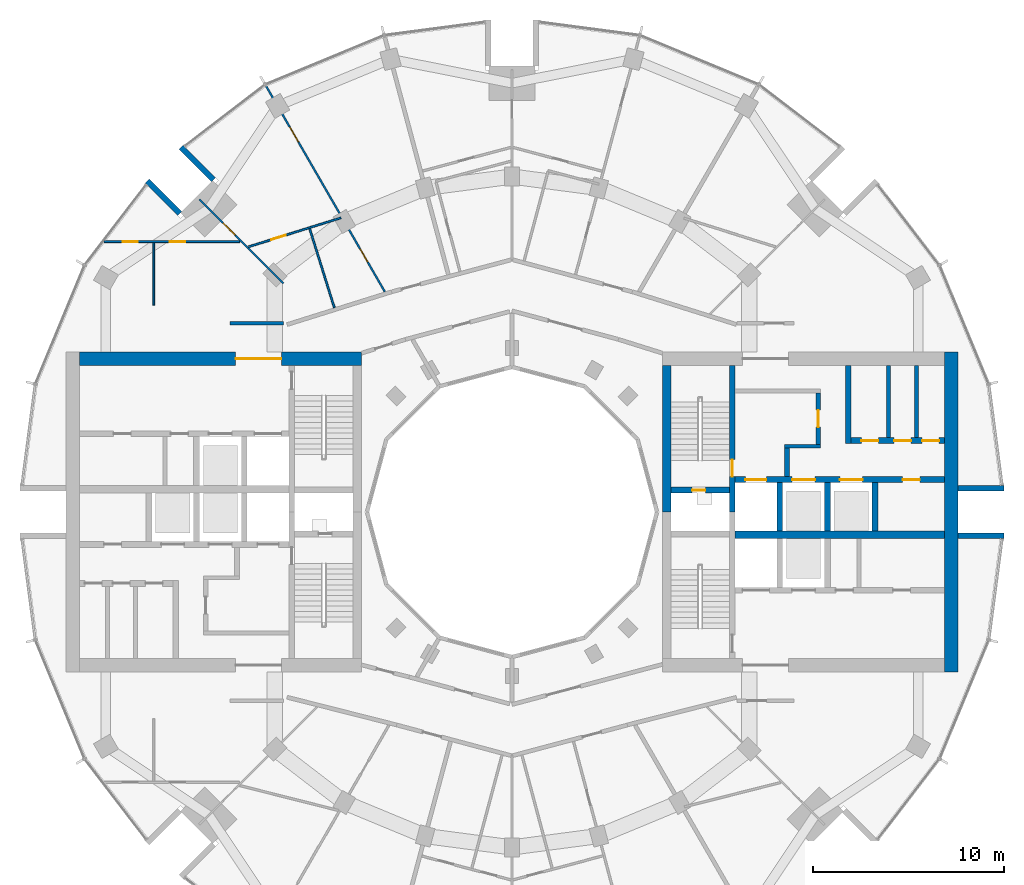
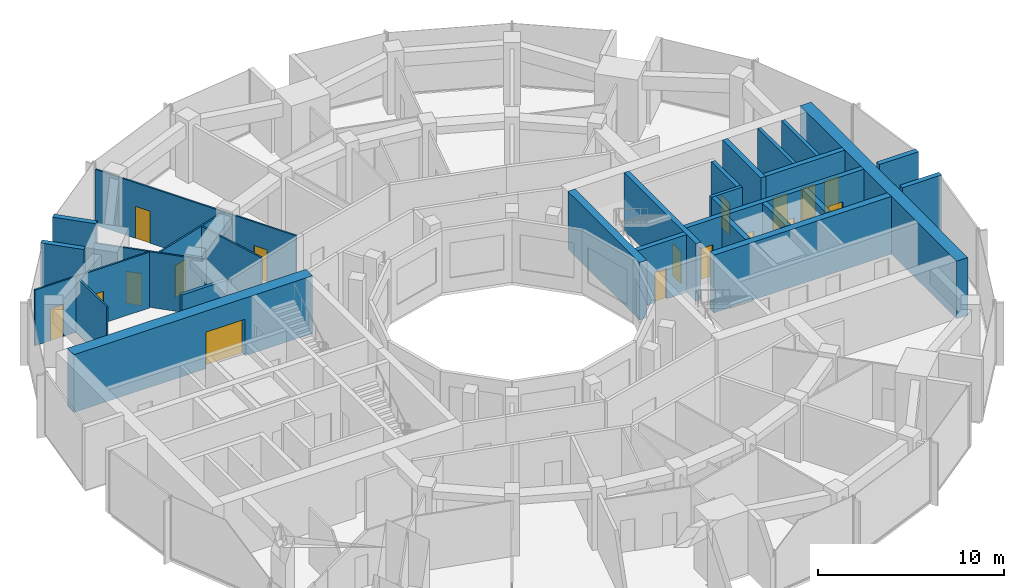
# One storey, part 11 of 15: 28 walls, 17 doors, 17 openings.
"""IFC4 building model written with IfcOpenShell, lengths in metres."""

import ifcopenshell
import ifcopenshell.guid

model = None  # the IFC model being written
_history = None  # IfcOwnerHistory: only IFC2X3 demands one
_inside = {}  # id of a spatial element -> (the spatial element, [elements in it])
_under = {}  # id of a project, library or spatial element -> (it, [spatial elements below it])
_declared = {}  # id of a project -> (the project, [libraries it declares])
_typed = {}  # id of a type object -> (the type object, [elements of that type])
_made_of = {}  # id of a material, layer set ... -> (it, [elements and type objects made of it])


def new_model(schema):
    """Start an empty IFC model of exactly this schema.

    Asked for "IFC4X3", IfcOpenShell would pick the latest addendum, in which some entities
    have other attributes; the version numbers below select the first issue.
    IFC2X3 requires an IfcOwnerHistory on every rooted entity: one is made here for all.
    """
    global model, _history
    if schema == "IFC4X3":
        model = ifcopenshell.file(schema_version=(4, 3, 0, 0))
    else:
        model = ifcopenshell.file(schema=schema)
    _inside.clear()
    _under.clear()
    _declared.clear()
    _typed.clear()
    _made_of.clear()
    _history = None
    if model.schema == "IFC2X3":
        org = make("IfcOrganization", Name="unknown")
        user = make(
            "IfcPersonAndOrganization",
            ThePerson=make("IfcPerson", FamilyName="unknown"),
            TheOrganization=org,
        )
        app = make(
            "IfcApplication",
            ApplicationDeveloper=org,
            Version="unknown",
            ApplicationFullName="unknown",
            ApplicationIdentifier="unknown",
        )
        _history = make(
            "IfcOwnerHistory",
            OwningUser=user,
            OwningApplication=app,
            ChangeAction="ADDED",
            CreationDate=0,
        )
    return model


def make(cls, **values):
    """One entity of the class cls with the attributes given. An attribute that is None is left unset."""
    return model.create_entity(
        cls, **{name: value for name, value in values.items() if value is not None}
    )


def rooted(cls, **values):
    """An entity with a GlobalId (a new one), such as an element, a storey or a relation."""
    return make(cls, GlobalId=ifcopenshell.guid.new(), OwnerHistory=_history, **values)


def si_unit(unit_type, name, prefix=None):
    """IfcSIUnit, for example si_unit("LENGTHUNIT", "METRE", prefix="MILLI")."""
    return make("IfcSIUnit", UnitType=unit_type, Prefix=prefix, Name=name)


def assignment(units):
    """IfcUnitAssignment: the units of a project."""
    return None if units is None else make("IfcUnitAssignment", Units=units)


def point(xyz):
    """IfcCartesianPoint."""
    return None if xyz is None else make("IfcCartesianPoint", Coordinates=xyz)


def direction(xyz):
    """IfcDirection."""
    return None if xyz is None else make("IfcDirection", DirectionRatios=xyz)


def frame(location, z_axis=None, x_axis=None):
    """IfcAxis2Placement3D, a coordinate frame: its origin and axes. An axis left out is left unset."""
    return make(
        "IfcAxis2Placement3D",
        Location=point(location),
        Axis=direction(z_axis),
        RefDirection=direction(x_axis),
    )


def frame_2d(location, x_axis=None):
    """IfcAxis2Placement2D, a coordinate frame in the plane: its origin and x axis."""
    return make(
        "IfcAxis2Placement2D", Location=point(location), RefDirection=direction(x_axis)
    )


def origin():
    """The frame at (0, 0, 0) with its axes left unset."""
    return frame((0.0, 0.0, 0.0))


def place(relative_to, where):
    """IfcLocalPlacement: puts the frame where relative to a parent placement (None: the world)."""
    return make(
        "IfcLocalPlacement", PlacementRelTo=relative_to, RelativePlacement=where
    )


def context(
    kind, dimensions, precision=None, world=None, true_north=None, identifier=None
):
    """IfcGeometricRepresentationContext, for example the 3D "Model" context."""
    return make(
        "IfcGeometricRepresentationContext",
        ContextIdentifier=identifier,
        ContextType=kind,
        CoordinateSpaceDimension=dimensions,
        Precision=precision,
        WorldCoordinateSystem=world,
        TrueNorth=true_north,
    )


def subcontext(parent, identifier, kind, view, scale=None):
    """IfcGeometricRepresentationSubContext, for example "Body" below "Model"."""
    return make(
        "IfcGeometricRepresentationSubContext",
        ContextIdentifier=identifier,
        ContextType=kind,
        ParentContext=parent,
        TargetScale=scale,
        TargetView=view,
    )


def project(units=None, contexts=None):
    """IfcProject with its units and contexts."""
    return rooted(
        "IfcProject",
        Name="project",
        RepresentationContexts=contexts,
        UnitsInContext=assignment(units),
    )


def spatial(cls, under=None, at=None, **own):
    """A site, building, storey or space (cls), placed at a placement, below another one or the project."""
    s = rooted(cls, ObjectPlacement=at, **own)
    if under is not None:
        _under.setdefault(under.id(), (under, []))[1].append(s)
    return s


def profile(cls, at=None, kind="AREA", **sizes):
    """A parametric profile (cls). Its sizes go by their IFC names, for example OverallWidth=200.0."""
    return make(cls, ProfileType=kind, Position=at, **sizes)


def rectangle(**sizes):
    """IfcRectangleProfileDef."""
    return profile("IfcRectangleProfileDef", **sizes)


def extrude(swept, where, along, depth):
    """IfcExtrudedAreaSolid: the profile swept, set in the frame where, extruded along a direction by depth."""
    return make(
        "IfcExtrudedAreaSolid",
        SweptArea=swept,
        Position=where,
        ExtrudedDirection=direction(along),
        Depth=depth,
    )


def shape(context_of_items, identifier, shape_type, items):
    """IfcShapeRepresentation: the items that make up one representation, for example the "Body"."""
    return make(
        "IfcShapeRepresentation",
        ContextOfItems=context_of_items,
        RepresentationIdentifier=identifier,
        RepresentationType=shape_type,
        Items=items,
    )


def material(Name=None, Category=None):
    """IfcMaterial."""
    return make("IfcMaterial", Name=Name, Category=Category)


def layer(
    of_material, thickness, ventilated=None, Name=None, Category=None, Priority=None
):
    """IfcMaterialLayer: one layer of a wall or slab, of a material (None: an air gap)."""
    return make(
        "IfcMaterialLayer",
        Material=of_material,
        LayerThickness=thickness,
        IsVentilated=ventilated,
        Name=Name,
        Category=Category,
        Priority=Priority,
    )


def layer_set(layers, Name=None):
    """IfcMaterialLayerSet."""
    return make("IfcMaterialLayerSet", MaterialLayers=layers, LayerSetName=Name)


def made_of(thing, what):
    """Note that an element or type object is made of a material, layer set ...; save() writes the relation."""
    if what is not None:
        _made_of.setdefault(what.id(), (what, []))[1].append(thing)
    return thing


def type_object(cls, material=None, **own):
    """A type object (cls), such as IfcWallType, which elements share."""
    return made_of(rooted(cls, **own), material)


def element(
    cls,
    number,
    at=None,
    inside=None,
    cuts=None,
    type_object=None,
    material=None,
    context=None,
    identifier="Body",
    shape_type=None,
    held_by="IfcProductDefinitionShape",
    body=None,
    shapes=None,
    **own,
):
    """One element of the class cls, such as IfcWall. Its Tag is "e" and its number.

    at: its placement. inside: the storey or other place that contains it. cuts: it is an
    opening in that element (IfcRelVoidsElement). A single representation is given by context,
    identifier, shape_type and body (its items); several are given by shapes. held_by: the class
    of the entity that holds the representations. save() writes the other relations.
    """
    e = rooted(cls, Tag="e%d" % number, ObjectPlacement=at, **own)
    if body is not None:
        shapes = [shape(context, identifier, shape_type, body)]
    if shapes is not None:
        e.Representation = make(held_by, Representations=shapes)
    if inside is not None:
        _inside.setdefault(inside.id(), (inside, []))[1].append(e)
    if cuts is not None:
        rooted(
            "IfcRelVoidsElement", RelatingBuildingElement=cuts, RelatedOpeningElement=e
        )
    if type_object is not None:
        _typed.setdefault(type_object.id(), (type_object, []))[1].append(e)
    return made_of(e, material)


def fill(opening, filler):
    """IfcRelFillsElement: the door or window that sits in an opening."""
    return rooted(
        "IfcRelFillsElement",
        RelatingOpeningElement=opening,
        RelatedBuildingElement=filler,
    )


def aggregate(whole, parts):
    """IfcRelAggregates: a whole, such as a stair, and the parts it consists of."""
    return rooted("IfcRelAggregates", RelatingObject=whole, RelatedObjects=parts)


def save(model, path):
    """Write the relations noted so far, then the file.

    IfcRelAggregates (storeys below a building ...), IfcRelContainedInSpatialStructure (elements
    in a storey), IfcRelDefinesByType, IfcRelAssociatesMaterial and IfcRelDeclares: one each for
    every whole, place, type object, material and project.
    """
    for whole, parts in _under.values():
        aggregate(whole, parts)
    for where, things in _inside.values():
        rooted(
            "IfcRelContainedInSpatialStructure",
            RelatedElements=things,
            RelatingStructure=where,
        )
    for kind, things in _typed.values():
        rooted("IfcRelDefinesByType", RelatedObjects=things, RelatingType=kind)
    for what, things in _made_of.values():
        rooted("IfcRelAssociatesMaterial", RelatedObjects=things, RelatingMaterial=what)
    for by, libraries in _declared.values():
        rooted("IfcRelDeclares", RelatingContext=by, RelatedDefinitions=libraries)
    model.write(path)


model = new_model("IFC4")

# Units and contexts
model_context = context("Model", 3, precision=1e-05, world=origin(), true_north=direction((0.0, 1.0)))
body_context = subcontext(model_context, "Body", "Model", "MODEL_VIEW")
ifc_project = project(units=[si_unit("LENGTHUNIT", "METRE"), si_unit("AREAUNIT", "SQUARE_METRE"), si_unit("VOLUMEUNIT", "CUBIC_METRE"), si_unit("PLANEANGLEUNIT", "RADIAN"), si_unit("MASSUNIT", "GRAM", prefix="KILO")], contexts=[model_context])

# Site, building, storey
site_placement = place(None, origin())
site = spatial("IfcSite", under=ifc_project, at=site_placement, CompositionType="ELEMENT")
building_placement = place(site_placement, origin())
building = spatial("IfcBuilding", under=site, at=building_placement, Name="Torre Brocal", CompositionType="ELEMENT")
storey_placement = place(building_placement, frame((0.0, 0.0, 194.60009765625)))
storey = spatial("IfcBuildingStorey", under=building, at=storey_placement, Name="L45", CompositionType="ELEMENT", Elevation=194.60009765625)

# Walls
ifc_material_1 = material(Name="Masonry block", Category="masonry")
ifc_layer_1 = layer(ifc_material_1, 0.199951171875)
ifc_layer_set_1 = layer_set([ifc_layer_1], Name="Masonry block")
wall_type_1 = type_object("IfcWallType", Name="CORE PARTITION 200", PredefinedType="PARTITIONING", material=ifc_layer_set_1)
for number, where, z_axis, x_axis, name in (
    (1, (99.760009765625, 78.89990234375, 0.0), (0.0, 0.0, 1.0), (0.0, 1.0, 0.0), "Wall CP200"),
    (2, (101.22998046875, 78.89990234375, 0.0), (0.0, 0.0, 1.0), (0.0, 1.0, 0.0), "Wall CP200"),
):
    element("IfcWall", number, at=place(storey_placement, frame(where, z_axis=z_axis, x_axis=x_axis)), inside=storey, type_object=wall_type_1, Name=name, PredefinedType="PARTITIONING", context=body_context, shape_type="SweptSolid", body=[
        extrude(rectangle(XDim=3.800048828125, YDim=0.199951171875, at=frame_2d((1.89990234375, 0.0))), origin(), (0.0, 0.0, 1.0), 3.77978515625),
    ])
ifc_material_2 = material(Name="Concrete C70", Category="concrete")
ifc_layer_2 = layer(ifc_material_2, 0.199951171875)
ifc_layer_set_2 = layer_set([ifc_layer_2], Name="Concrete C70")
wall_type_2 = type_object("IfcWallType", Name="CORE WALL 200 C70", PredefinedType="SHEAR", material=ifc_layer_set_2)
wall_1_placement = place(storey_placement, frame((94.300048828125, 78.449951171875, 0.0), z_axis=(0.0, 0.0, 1.0), x_axis=(1.0, 0.0, 0.0)))
element("IfcWall", 3, at=wall_1_placement, inside=storey, type_object=wall_type_2, Name="Wall CW200-70", PredefinedType="SHEAR", context=body_context, shape_type="SweptSolid", body=[
    extrude(rectangle(XDim=1.89990234375, YDim=0.199951171875, at=frame_2d((0.949951171875, 0.0))), origin(), (0.0, 0.0, 1.0), 3.77978515625),
])

# Wall, opening, door
ifc_material_3 = material(Name="Concrete C70", Category="concrete")
ifc_layer_3 = layer(ifc_material_3, 0.25)
ifc_layer_set_3 = layer_set([ifc_layer_3], Name="Concrete C70")
wall_type_3 = type_object("IfcWallType", Name="CORE WALL 250 C70", PredefinedType="SHEAR", material=ifc_layer_set_3)
wall_2_placement = place(storey_placement, frame((96.074951171875, 78.550048828125, 0.0), z_axis=(0.0, 0.0, 1.0), x_axis=(0.0, 1.0, 0.0)))
wall_2 = element("IfcWall", 4, at=wall_2_placement, inside=storey, type_object=wall_type_3, Name="Wall CW250-70", PredefinedType="SHEAR", context=body_context, shape_type="SweptSolid", body=[
    extrude(rectangle(XDim=2.699951171875, YDim=0.25, at=frame_2d((1.35009765625, 0.0))), origin(), (0.0, 0.0, 1.0), 3.77978515625),
])
opening_1_placement = place(wall_2_placement, frame((0.89990234375, 0.0, 0.0)))
opening_1 = element("IfcOpeningElement", 5, at=opening_1_placement, cuts=wall_2, Name="Opening E-D26", PredefinedType="OPENING", context=body_context, shape_type="SweptSolid", body=[
    extrude(rectangle(XDim=0.89990234375, YDim=2.10009765625, at=frame_2d((0.449951171875, 1.050048828125))), frame((0.0, 0.135009765625, 0.0), z_axis=(0.0, -1.0, 0.0), x_axis=(1.0, 0.0, 0.0)), (0.0, 0.0, 1.0), 0.27001953125),
])
ifc_material_4 = material(Name="Steel A653", Category="steel")
door_type_1 = type_object("IfcDoorType", Name="LOBBY DOOR FD120 900X2100", OperationType="SINGLE_SWING_RIGHT", PredefinedType="DOOR", material=ifc_material_4)
door_1_placement = place(opening_1_placement, origin())
door_1 = element("IfcDoor", 6, at=door_1_placement, inside=storey, type_object=door_type_1, Name="Door E-D26", OperationType="SINGLE_SWING_LEFT", OverallHeight=2.10009765625, OverallWidth=0.89990234375, PredefinedType="DOOR", context=body_context, shape_type="SweptSolid", body=[
    extrude(rectangle(XDim=0.89990234375, YDim=2.10009765625, at=frame_2d((0.449951171875, 1.050048828125))), frame((0.0, 0.02490234375, 0.0), z_axis=(0.0, -1.0, 0.0), x_axis=(1.0, 0.0, 0.0)), (0.0, 0.0, 1.0), 0.050048828125),
])
fill(opening_1, door_1)

# Wall
wall_3_placement = place(storey_placement, frame((94.425048828125, 76.85009765625, 0.0), z_axis=(0.0, 0.0, 1.0), x_axis=(0.0, 1.0, 0.0)))
element("IfcWall", 7, at=wall_3_placement, inside=storey, type_object=wall_type_3, Name="Wall CW250-70", PredefinedType="SHEAR", context=body_context, shape_type="SweptSolid", body=[
    extrude(rectangle(XDim=1.5, YDim=0.25, at=frame_2d((0.75, 0.0))), origin(), (0.0, 0.0, 1.0), 3.77978515625),
])

# Wall, opening, door
ifc_material_5 = material(Name="Concrete C70", Category="concrete")
ifc_layer_4 = layer(ifc_material_5, 0.300048828125)
ifc_layer_set_4 = layer_set([ifc_layer_4], Name="Concrete C70")
wall_type_4 = type_object("IfcWallType", Name="CORE WALL 300 C70", PredefinedType="SHEAR", material=ifc_layer_set_4)
wall_4_placement = place(storey_placement, frame((91.550048828125, 75.0, 0.0), z_axis=(0.0, 0.0, 1.0), x_axis=(0.0, 1.0, 0.0)))
wall_4 = element("IfcWall", 8, at=wall_4_placement, inside=storey, type_object=wall_type_4, Name="Wall CW300-70", PredefinedType="SHEAR", context=body_context, shape_type="SweptSolid", body=[
    extrude(rectangle(XDim=7.699951171875, YDim=0.300048828125, at=frame_2d((3.85009765625, 0.0))), origin(), (0.0, 0.0, 1.0), 3.77978515625),
])
opening_2_placement = place(wall_4_placement, frame((1.85009765625, 0.0, 0.0)))
opening_2 = element("IfcOpeningElement", 9, at=opening_2_placement, cuts=wall_4, Name="Opening E-D02", PredefinedType="OPENING", context=body_context, shape_type="SweptSolid", body=[
    extrude(rectangle(XDim=0.89990234375, YDim=2.10009765625, at=frame_2d((0.449951171875, 1.050048828125))), frame((0.0, 0.159912109375, 0.0), z_axis=(0.0, -1.0, 0.0), x_axis=(1.0, 0.0, 0.0)), (0.0, 0.0, 1.0), 0.320068359375),
])
ifc_material_6 = material(Name="Steel A653", Category="steel")
door_type_2 = type_object("IfcDoorType", Name="STAIR DOOR FD120 900X2100", OperationType="SINGLE_SWING_RIGHT", PredefinedType="DOOR", material=ifc_material_6)
door_2_placement = place(opening_2_placement, origin())
door_2 = element("IfcDoor", 10, at=door_2_placement, inside=storey, type_object=door_type_2, Name="Door E-D02", OperationType="SINGLE_SWING_LEFT", OverallHeight=2.10009765625, OverallWidth=0.89990234375, PredefinedType="DOOR", context=body_context, shape_type="SweptSolid", body=[
    extrude(rectangle(XDim=0.89990234375, YDim=2.10009765625, at=frame_2d((0.449951171875, 1.050048828125))), frame((0.0, 0.02490234375, 0.0), z_axis=(0.0, -1.0, 0.0), x_axis=(1.0, 0.0, 0.0)), (0.0, 0.0, 1.0), 0.050048828125),
])
fill(opening_2, door_2)

wall_5_placement = place(storey_placement, frame((88.35009765625, 76.14990234375, 0.0), z_axis=(0.0, 0.0, 1.0), x_axis=(1.0, 0.0, 0.0)))
wall_5 = element("IfcWall", 11, at=wall_5_placement, inside=storey, type_object=wall_type_4, Name="Wall CW300-70", PredefinedType="SHEAR", context=body_context, shape_type="SweptSolid", body=[
    extrude(rectangle(XDim=3.0498046875, YDim=0.300048828125, at=frame_2d((1.52490234375, 0.0))), origin(), (0.0, 0.0, 1.0), 3.77978515625),
])
opening_3_placement = place(wall_5_placement, frame((1.10009765625, 0.0, 0.0)))
opening_3 = element("IfcOpeningElement", 12, at=opening_3_placement, cuts=wall_5, Name="Opening E-D01", PredefinedType="OPENING", context=body_context, shape_type="SweptSolid", body=[
    extrude(rectangle(XDim=0.699951171875, YDim=2.0, at=frame_2d((0.35009765625, 1.0))), frame((0.0, 0.159912109375, 0.0), z_axis=(0.0, -1.0, 0.0), x_axis=(1.0, 0.0, 0.0)), (0.0, 0.0, 1.0), 0.320068359375),
])
ifc_material_7 = material(Name="Steel A653", Category="steel")
door_type_3 = type_object("IfcDoorType", Name="RISER DOOR FD120 700X2000", OperationType="SINGLE_SWING_LEFT", PredefinedType="DOOR", material=ifc_material_7)
door_3_placement = place(opening_3_placement, frame((0.699951171875, 0.0, 0.0), z_axis=(0.0, 0.0, 1.0), x_axis=(-1.0, 0.0, 0.0)))
door_3 = element("IfcDoor", 13, at=door_3_placement, inside=storey, type_object=door_type_3, Name="Door E-D01", OperationType="SINGLE_SWING_RIGHT", OverallHeight=2.0, OverallWidth=0.699951171875, PredefinedType="DOOR", context=body_context, shape_type="SweptSolid", body=[
    extrude(rectangle(XDim=0.699951171875, YDim=2.0, at=frame_2d((0.35009765625, 1.0))), frame((0.0, 0.02490234375, 0.0), z_axis=(0.0, -1.0, 0.0), x_axis=(1.0, 0.0, 0.0)), (0.0, 0.0, 1.0), 0.050048828125),
])
fill(opening_3, door_3)

# Wall, openings, doors
wall_6_placement = place(storey_placement, frame((91.699951171875, 76.699951171875, 0.0), z_axis=(0.0, 0.0, 1.0), x_axis=(1.0, 0.0, 0.0)))
wall_6 = element("IfcWall", 14, at=wall_6_placement, inside=storey, type_object=wall_type_4, Name="Wall CW300-70", PredefinedType="SHEAR", context=body_context, shape_type="SweptSolid", body=[
    extrude(rectangle(XDim=11.0, YDim=0.300048828125, at=frame_2d((5.5, 0.0))), origin(), (0.0, 0.0, 1.0), 3.77978515625),
])
opening_4_placement = place(wall_6_placement, frame((0.550048828125, 0.0, 0.0)))
opening_4 = element("IfcOpeningElement", 15, at=opening_4_placement, cuts=wall_6, Name="Opening LD", PredefinedType="OPENING", context=body_context, shape_type="SweptSolid", body=[
    extrude(rectangle(XDim=1.10009765625, YDim=2.10009765625, at=frame_2d((0.550048828125, 1.050048828125))), frame((0.0, 0.159912109375, 0.0), z_axis=(0.0, -1.0, 0.0), x_axis=(1.0, 0.0, 0.0)), (0.0, 0.0, 1.0), 0.320068359375),
])
opening_5_placement = place(wall_6_placement, frame((3.0, 0.0, 0.0)))
opening_5 = element("IfcOpeningElement", 16, at=opening_5_placement, cuts=wall_6, Name="Opening LD12", PredefinedType="OPENING", context=body_context, shape_type="SweptSolid", body=[
    extrude(rectangle(XDim=1.199951171875, YDim=2.10009765625, at=frame_2d((0.60009765625, 1.050048828125))), frame((0.0, 0.159912109375, 0.0), z_axis=(0.0, -1.0, 0.0), x_axis=(1.0, 0.0, 0.0)), (0.0, 0.0, 1.0), 0.320068359375),
])
opening_6_placement = place(wall_6_placement, frame((5.5, 0.0, 0.0)))
opening_6 = element("IfcOpeningElement", 17, at=opening_6_placement, cuts=wall_6, Name="Opening LD12", PredefinedType="OPENING", context=body_context, shape_type="SweptSolid", body=[
    extrude(rectangle(XDim=1.199951171875, YDim=2.10009765625, at=frame_2d((0.60009765625, 1.050048828125))), frame((0.0, 0.159912109375, 0.0), z_axis=(0.0, -1.0, 0.0), x_axis=(1.0, 0.0, 0.0)), (0.0, 0.0, 1.0), 0.320068359375),
])
opening_7_placement = place(wall_6_placement, frame((8.800048828125, 0.0, 0.0)))
opening_7 = element("IfcOpeningElement", 18, at=opening_7_placement, cuts=wall_6, Name="Opening E-D04", PredefinedType="OPENING", context=body_context, shape_type="SweptSolid", body=[
    extrude(rectangle(XDim=0.89990234375, YDim=2.10009765625, at=frame_2d((0.449951171875, 1.050048828125))), frame((0.0, 0.159912109375, 0.0), z_axis=(0.0, -1.0, 0.0), x_axis=(1.0, 0.0, 0.0)), (0.0, 0.0, 1.0), 0.320068359375),
])
ifc_material_8 = material(Name="Stainless steel AISI 316", Category="steel")
door_type_4 = type_object("IfcDoorType", Name="LIFT LANDING DOOR 1100X2100", OperationType="DOUBLE_DOOR_SLIDING", PredefinedType="DOOR", material=ifc_material_8)
door_4_placement = place(opening_4_placement, origin())
door_4 = element("IfcDoor", 19, at=door_4_placement, inside=storey, type_object=door_type_4, Name="Door LD", OperationType="DOUBLE_DOOR_SLIDING", OverallHeight=2.10009765625, OverallWidth=1.10009765625, PredefinedType="DOOR", context=body_context, shape_type="SweptSolid", body=[
    extrude(rectangle(XDim=1.10009765625, YDim=2.10009765625, at=frame_2d((0.550048828125, 1.050048828125))), frame((0.0, 0.02490234375, 0.0), z_axis=(0.0, -1.0, 0.0), x_axis=(1.0, 0.0, 0.0)), (0.0, 0.0, 1.0), 0.050048828125),
])
fill(opening_4, door_4)
ifc_material_9 = material(Name="Stainless steel AISI 316", Category="steel")
door_type_5 = type_object("IfcDoorType", Name="LIFT LANDING DOOR 1200X2100", OperationType="DOUBLE_DOOR_SLIDING", PredefinedType="DOOR", material=ifc_material_9)
door_5_placement = place(opening_5_placement, origin())
door_5 = element("IfcDoor", 20, at=door_5_placement, inside=storey, type_object=door_type_5, Name="Door LD12", OperationType="DOUBLE_DOOR_SLIDING", OverallHeight=2.10009765625, OverallWidth=1.199951171875, PredefinedType="DOOR", context=body_context, shape_type="SweptSolid", body=[
    extrude(rectangle(XDim=1.199951171875, YDim=2.10009765625, at=frame_2d((0.60009765625, 1.050048828125))), frame((0.0, 0.02490234375, 0.0), z_axis=(0.0, -1.0, 0.0), x_axis=(1.0, 0.0, 0.0)), (0.0, 0.0, 1.0), 0.050048828125),
])
fill(opening_5, door_5)
door_6_placement = place(opening_6_placement, origin())
door_6 = element("IfcDoor", 21, at=door_6_placement, inside=storey, type_object=door_type_5, Name="Door LD12", OperationType="DOUBLE_DOOR_SLIDING", OverallHeight=2.10009765625, OverallWidth=1.199951171875, PredefinedType="DOOR", context=body_context, shape_type="SweptSolid", body=[
    extrude(rectangle(XDim=1.199951171875, YDim=2.10009765625, at=frame_2d((0.60009765625, 1.050048828125))), frame((0.0, 0.02490234375, 0.0), z_axis=(0.0, -1.0, 0.0), x_axis=(1.0, 0.0, 0.0)), (0.0, 0.0, 1.0), 0.050048828125),
])
fill(opening_6, door_6)
ifc_material_10 = material(Name="Steel A653", Category="steel")
door_type_6 = type_object("IfcDoorType", Name="ROOM DOOR FD30S 900X2100", OperationType="SINGLE_SWING_LEFT", PredefinedType="DOOR", material=ifc_material_10)
door_7_placement = place(opening_7_placement, frame((0.89990234375, 0.0, 0.0), z_axis=(0.0, 0.0, 1.0), x_axis=(-1.0, 0.0, 0.0)))
door_7 = element("IfcDoor", 22, at=door_7_placement, inside=storey, type_object=door_type_6, Name="Door E-D04", OperationType="SINGLE_SWING_LEFT", OverallHeight=2.10009765625, OverallWidth=0.89990234375, PredefinedType="DOOR", context=body_context, shape_type="SweptSolid", body=[
    extrude(rectangle(XDim=0.89990234375, YDim=2.10009765625, at=frame_2d((0.449951171875, 1.050048828125))), frame((0.0, 0.02490234375, 0.0), z_axis=(0.0, -1.0, 0.0), x_axis=(1.0, 0.0, 0.0)), (0.0, 0.0, 1.0), 0.050048828125),
])
fill(opening_7, door_7)

# Walls
for number, where, z_axis, x_axis, name in (
    (23, (94.050048828125, 74.0, 0.0), (0.0, 0.0, 1.0), (0.0, 1.0, 0.0), "Wall CW300-70"),
    (24, (96.550048828125, 74.0, 0.0), (0.0, 0.0, 1.0), (0.0, 1.0, 0.0), "Wall CW300-70"),
    (25, (99.050048828125, 74.0, 0.0), (0.0, 0.0, 1.0), (0.0, 1.0, 0.0), "Wall CW300-70"),
):
    element("IfcWall", number, at=place(storey_placement, frame(where, z_axis=z_axis, x_axis=x_axis)), inside=storey, type_object=wall_type_4, Name=name, PredefinedType="SHEAR", context=body_context, shape_type="SweptSolid", body=[
        extrude(rectangle(XDim=2.550048828125, YDim=0.300048828125, at=frame_2d((1.27490234375, 0.0))), origin(), (0.0, 0.0, 1.0), 3.77978515625),
    ])
wall_7_placement = place(storey_placement, frame((97.64990234375, 78.60009765625, 0.0), z_axis=(0.0, 0.0, 1.0), x_axis=(0.0, 1.0, 0.0)))
element("IfcWall", 26, at=wall_7_placement, inside=storey, type_object=wall_type_4, Name="Wall CW300-70", PredefinedType="SHEAR", context=body_context, shape_type="SweptSolid", body=[
    extrude(rectangle(XDim=4.099853515625, YDim=0.300048828125, at=frame_2d((2.0498046875, 0.0))), origin(), (0.0, 0.0, 1.0), 3.77978515625),
])

# Wall, openings, doors
wall_8_placement = place(storey_placement, frame((97.800048828125, 78.75, 0.0), z_axis=(0.0, 0.0, 1.0), x_axis=(1.0, 0.0, 0.0)))
wall_8 = element("IfcWall", 27, at=wall_8_placement, inside=storey, type_object=wall_type_4, Name="Wall CW300-70", PredefinedType="SHEAR", context=body_context, shape_type="SweptSolid", body=[
    extrude(rectangle(XDim=4.89990234375, YDim=0.300048828125, at=frame_2d((2.449951171875, 0.0))), origin(), (0.0, 0.0, 1.0), 3.77978515625),
])
opening_8_placement = place(wall_8_placement, frame((0.530029296875, 0.0, 0.0)))
opening_8 = element("IfcOpeningElement", 28, at=opening_8_placement, cuts=wall_8, Name="Opening E-D28", PredefinedType="OPENING", context=body_context, shape_type="SweptSolid", body=[
    extrude(rectangle(XDim=0.89990234375, YDim=2.10009765625, at=frame_2d((0.449951171875, 1.050048828125))), frame((0.0, 0.159912109375, 0.0), z_axis=(0.0, -1.0, 0.0), x_axis=(1.0, 0.0, 0.0)), (0.0, 0.0, 1.0), 0.320068359375),
])
opening_9_placement = place(wall_8_placement, frame((2.2451171875, 0.0, 0.0)))
opening_9 = element("IfcOpeningElement", 29, at=opening_9_placement, cuts=wall_8, Name="Opening E-D09", PredefinedType="OPENING", context=body_context, shape_type="SweptSolid", body=[
    extrude(rectangle(XDim=0.89990234375, YDim=2.10009765625, at=frame_2d((0.449951171875, 1.050048828125))), frame((0.0, 0.159912109375, 0.0), z_axis=(0.0, -1.0, 0.0), x_axis=(1.0, 0.0, 0.0)), (0.0, 0.0, 1.0), 0.320068359375),
])
opening_10_placement = place(wall_8_placement, frame((3.715087890625, 0.0, 0.0)))
opening_10 = element("IfcOpeningElement", 30, at=opening_10_placement, cuts=wall_8, Name="Opening E-D10", PredefinedType="OPENING", context=body_context, shape_type="SweptSolid", body=[
    extrude(rectangle(XDim=0.89990234375, YDim=2.10009765625, at=frame_2d((0.449951171875, 1.050048828125))), frame((0.0, 0.159912109375, 0.0), z_axis=(0.0, -1.0, 0.0), x_axis=(1.0, 0.0, 0.0)), (0.0, 0.0, 1.0), 0.320068359375),
])
door_8_placement = place(opening_8_placement, origin())
door_8 = element("IfcDoor", 31, at=door_8_placement, inside=storey, type_object=door_type_6, Name="Door E-D28", OperationType="SINGLE_SWING_RIGHT", OverallHeight=2.10009765625, OverallWidth=0.89990234375, PredefinedType="DOOR", context=body_context, shape_type="SweptSolid", body=[
    extrude(rectangle(XDim=0.89990234375, YDim=2.10009765625, at=frame_2d((0.449951171875, 1.050048828125))), frame((0.0, 0.02490234375, 0.0), z_axis=(0.0, -1.0, 0.0), x_axis=(1.0, 0.0, 0.0)), (0.0, 0.0, 1.0), 0.050048828125),
])
fill(opening_8, door_8)
door_9_placement = place(opening_9_placement, origin())
door_9 = element("IfcDoor", 32, at=door_9_placement, inside=storey, type_object=door_type_6, Name="Door E-D09", OperationType="SINGLE_SWING_LEFT", OverallHeight=2.10009765625, OverallWidth=0.89990234375, PredefinedType="DOOR", context=body_context, shape_type="SweptSolid", body=[
    extrude(rectangle(XDim=0.89990234375, YDim=2.10009765625, at=frame_2d((0.449951171875, 1.050048828125))), frame((0.0, 0.02490234375, 0.0), z_axis=(0.0, -1.0, 0.0), x_axis=(1.0, 0.0, 0.0)), (0.0, 0.0, 1.0), 0.050048828125),
])
fill(opening_9, door_9)
door_10_placement = place(opening_10_placement, origin())
door_10 = element("IfcDoor", 33, at=door_10_placement, inside=storey, type_object=door_type_6, Name="Door E-D10", OperationType="SINGLE_SWING_LEFT", OverallHeight=2.10009765625, OverallWidth=0.89990234375, PredefinedType="DOOR", context=body_context, shape_type="SweptSolid", body=[
    extrude(rectangle(XDim=0.89990234375, YDim=2.10009765625, at=frame_2d((0.449951171875, 1.050048828125))), frame((0.0, 0.02490234375, 0.0), z_axis=(0.0, -1.0, 0.0), x_axis=(1.0, 0.0, 0.0)), (0.0, 0.0, 1.0), 0.050048828125),
])
fill(opening_10, door_10)

# Walls
ifc_material_11 = material(Name="Concrete C70", Category="concrete")
ifc_layer_5 = layer(ifc_material_11, 0.39990234375)
ifc_layer_set_5 = layer_set([ifc_layer_5], Name="Concrete C70")
wall_type_5 = type_object("IfcWallType", Name="CORE WALL 400 C70", PredefinedType="SHEAR", material=ifc_layer_set_5)
wall_9_placement = place(storey_placement, frame((91.699951171875, 73.800048828125, 0.0), z_axis=(0.0, 0.0, 1.0), x_axis=(1.0, 0.0, 0.0)))
element("IfcWall", 34, at=wall_9_placement, inside=storey, type_object=wall_type_5, Name="Wall CW400-70", PredefinedType="SHEAR", context=body_context, shape_type="SweptSolid", body=[
    extrude(rectangle(XDim=11.0, YDim=0.39990234375, at=frame_2d((5.5, 0.0))), origin(), (0.0, 0.0, 1.0), 3.77978515625),
])
ifc_material_12 = material(Name="Concrete C70", Category="concrete")
ifc_layer_6 = layer(ifc_material_12, 0.449951171875)
ifc_layer_set_6 = layer_set([ifc_layer_6], Name="Concrete C70")
wall_type_6 = type_object("IfcWallType", Name="CORE WALL 450 C70", PredefinedType="SHEAR", material=ifc_layer_set_6)
wall_10_placement = place(storey_placement, frame((88.125, 75.0, 0.0), z_axis=(0.0, 0.0, 1.0), x_axis=(0.0, 1.0, 0.0)))
element("IfcWall", 35, at=wall_10_placement, inside=storey, type_object=wall_type_6, Name="Wall CW450-70", PredefinedType="SHEAR", context=body_context, shape_type="SweptSolid", body=[
    extrude(rectangle(XDim=7.699951171875, YDim=0.449951171875, at=frame_2d((3.85009765625, 0.0))), origin(), (0.0, 0.0, 1.0), 3.77978515625),
])
ifc_material_13 = material(Name="Concrete C70", Category="concrete")
ifc_layer_7 = layer(ifc_material_13, 0.699951171875)
ifc_layer_set_7 = layer_set([ifc_layer_7], Name="Concrete C70")
wall_type_7 = type_object("IfcWallType", Name="CORE WALL 700 C70", PredefinedType="SHEAR", material=ifc_layer_set_7)
wall_11_placement = place(storey_placement, frame((103.050048828125, 66.60009765625, 0.0), z_axis=(0.0, 0.0, 1.0), x_axis=(0.0, 1.0, 0.0)))
element("IfcWall", 36, at=wall_11_placement, inside=storey, type_object=wall_type_7, Name="Wall CW700-70", PredefinedType="SHEAR", context=body_context, shape_type="SweptSolid", body=[
    extrude(rectangle(XDim=16.7998046875, YDim=0.699951171875, at=frame_2d((8.39990234375, 0.0))), origin(), (0.0, 0.0, 1.0), 3.77978515625),
])

# Wall, opening, door
wall_12_placement = place(storey_placement, frame((72.10009765625, 83.050048828125, 0.0), z_axis=(0.0, 0.0, 1.0), x_axis=(-1.0, 0.0, 0.0)))
wall_12 = element("IfcWall", 37, at=wall_12_placement, inside=storey, type_object=wall_type_7, Name="Wall CW700-70", PredefinedType="SHEAR", context=body_context, shape_type="SweptSolid", body=[
    extrude(rectangle(XDim=14.800048828125, YDim=0.699951171875, at=frame_2d((7.39990234375, 0.0))), origin(), (0.0, 0.0, 1.0), 3.77978515625),
])
opening_11_placement = place(wall_12_placement, frame((4.199951171875, 0.0, 0.0)))
opening_11 = element("IfcOpeningElement", 38, at=opening_11_placement, cuts=wall_12, Name="Opening W-D12", PredefinedType="OPENING", context=body_context, shape_type="SweptSolid", body=[
    extrude(rectangle(XDim=2.39990234375, YDim=2.39990234375, at=frame_2d((1.199951171875, 1.199951171875))), frame((0.0, 0.35986328125, 0.0), z_axis=(0.0, -1.0, 0.0), x_axis=(1.0, 0.0, 0.0)), (0.0, 0.0, 1.0), 0.719970703125),
])
ifc_material_14 = material(Name="Steel A653", Category="steel")
door_type_7 = type_object("IfcDoorType", Name="DOUBLE FIRE DOOR FD90 2400X2400", OperationType="DOUBLE_DOOR_SINGLE_SWING", PredefinedType="DOOR", material=ifc_material_14)
door_11_placement = place(opening_11_placement, origin())
door_11 = element("IfcDoor", 39, at=door_11_placement, inside=storey, type_object=door_type_7, Name="Door W-D12", OperationType="DOUBLE_DOOR_SINGLE_SWING", OverallHeight=2.39990234375, OverallWidth=2.39990234375, PredefinedType="DOOR", context=body_context, shape_type="SweptSolid", body=[
    extrude(rectangle(XDim=2.39990234375, YDim=2.39990234375, at=frame_2d((1.199951171875, 1.199951171875))), frame((0.0, 0.02490234375, 0.0), z_axis=(0.0, -1.0, 0.0), x_axis=(1.0, 0.0, 0.0)), (0.0, 0.0, 1.0), 0.050048828125),
])
fill(opening_11, door_11)

# Walls
ifc_material_15 = material(Name="Concrete C70", Category="concrete")
ifc_layer_8 = layer(ifc_material_15, 0.300048828125)
ifc_layer_set_8 = layer_set([ifc_layer_8], Name="Concrete C70")
wall_type_8 = type_object("IfcWallType", Name="NOTCH RETURN WALL 300 C70", PredefinedType="NOTDEFINED", material=ifc_layer_set_8)
for number, where, z_axis, x_axis, name in (
    (40, (103.39990234375, 73.75, 0.0), (0.0, 0.0, 1.0), (1.0, 0.0, 0.0), "NOTCH RETURN WALL"),
    (41, (103.39990234375, 76.25, 0.0), (0.0, 0.0, 1.0), (1.0, 0.0, 0.0), "NOTCH RETURN WALL"),
    (42, (64.337646484375, 92.43017578125, 0.0), (0.0, 0.0, 1.0), (-0.707106781187, 0.707106781187, 0.0), "NOTCH RETURN WALL"),
    (43, (62.56982421875, 90.662353515625, 0.0), (0.0, 0.0, 1.0), (-0.707106781187, 0.707106781187, 0.0), "NOTCH RETURN WALL"),
):
    element("IfcWall", number, at=place(storey_placement, frame(where, z_axis=z_axis, x_axis=x_axis)), inside=storey, type_object=wall_type_8, Name=name, PredefinedType="NOTDEFINED", context=body_context, shape_type="SweptSolid", body=[
        extrude(rectangle(XDim=2.415771484375, YDim=0.300048828125, at=frame_2d((1.2080078125, 0.0))), origin(), (0.0, 0.0, 1.0), 4.099853515625),
    ])

# Wall, openings, doors
ifc_material_16 = material(Name="Gypsum board", Category="Gypsum")
ifc_layer_9 = layer(ifc_material_16, 0.10009765625)
ifc_layer_set_9 = layer_set([ifc_layer_9], Name="Gypsum board")
wall_type_9 = type_object("IfcWallType", Name="PARTITION 100", PredefinedType="PARTITIONING", material=ifc_layer_set_9)
wall_13_placement = place(storey_placement, frame((58.60009765625, 89.18798828125, 0.0), z_axis=(0.0, 0.0, 1.0), x_axis=(1.0, 0.0, 0.0)))
wall_13 = element("IfcWall", 44, at=wall_13_placement, inside=storey, type_object=wall_type_9, Name="BATHROOM WALL", PredefinedType="PARTITIONING", context=body_context, shape_type="SweptSolid", body=[
    extrude(rectangle(XDim=7.10205078125, YDim=0.10009765625, at=frame_2d((3.551025390625, 0.0))), origin(), (0.0, 0.0, 1.0), 3.64990234375),
])
opening_12_placement = place(wall_13_placement, frame((3.446533203125, 0.0, 0.0)))
opening_12 = element("IfcOpeningElement", 45, at=opening_12_placement, cuts=wall_13, Name="Opening R04-D16", PredefinedType="OPENING", context=body_context, shape_type="SweptSolid", body=[
    extrude(rectangle(XDim=0.800048828125, YDim=2.10009765625, at=frame_2d((0.39990234375, 1.050048828125))), frame((0.0, 0.06005859375, 0.0), z_axis=(0.0, -1.0, 0.0), x_axis=(1.0, 0.0, 0.0)), (0.0, 0.0, 1.0), 0.1201171875),
])
opening_13_placement = place(wall_13_placement, frame((0.965087890625, 0.0, 0.0)))
opening_13 = element("IfcOpeningElement", 46, at=opening_13_placement, cuts=wall_13, Name="Opening R04-D17", PredefinedType="OPENING", context=body_context, shape_type="SweptSolid", body=[
    extrude(rectangle(XDim=0.800048828125, YDim=2.10009765625, at=frame_2d((0.39990234375, 1.050048828125))), frame((0.0, 0.06005859375, 0.0), z_axis=(0.0, -1.0, 0.0), x_axis=(1.0, 0.0, 0.0)), (0.0, 0.0, 1.0), 0.1201171875),
])
ifc_material_17 = material(Name="Timber", Category="wood")
door_type_8 = type_object("IfcDoorType", Name="BATHROOM DOOR 800X2100", OperationType="SINGLE_SWING_LEFT", PredefinedType="DOOR", material=ifc_material_17)
door_12_placement = place(opening_12_placement, frame((0.800048828125, 0.0, 0.0), z_axis=(0.0, 0.0, 1.0), x_axis=(-1.0, 0.0, 0.0)))
door_12 = element("IfcDoor", 47, at=door_12_placement, inside=storey, type_object=door_type_8, Name="R04-D16", OperationType="SINGLE_SWING_RIGHT", OverallHeight=2.10009765625, OverallWidth=0.800048828125, PredefinedType="DOOR", context=body_context, shape_type="SweptSolid", body=[
    extrude(rectangle(XDim=0.800048828125, YDim=2.10009765625, at=frame_2d((0.39990234375, 1.050048828125))), frame((0.0, 0.02490234375, 0.0), z_axis=(0.0, -1.0, 0.0), x_axis=(1.0, 0.0, 0.0)), (0.0, 0.0, 1.0), 0.050048828125),
])
fill(opening_12, door_12)
door_13_placement = place(opening_13_placement, origin())
door_13 = element("IfcDoor", 48, at=door_13_placement, inside=storey, type_object=door_type_8, Name="R04-D17", OperationType="SINGLE_SWING_LEFT", OverallHeight=2.10009765625, OverallWidth=0.800048828125, PredefinedType="DOOR", context=body_context, shape_type="SweptSolid", body=[
    extrude(rectangle(XDim=0.800048828125, YDim=2.10009765625, at=frame_2d((0.39990234375, 1.050048828125))), frame((0.0, 0.02490234375, 0.0), z_axis=(0.0, -1.0, 0.0), x_axis=(1.0, 0.0, 0.0)), (0.0, 0.0, 1.0), 0.050048828125),
])
fill(opening_13, door_13)

# Wall
wall_14_placement = place(storey_placement, frame((61.199951171875, 85.85498046875, 0.0), z_axis=(0.0, 0.0, 1.0), x_axis=(0.0, 1.0, 0.0)))
element("IfcWall", 49, at=wall_14_placement, inside=storey, type_object=wall_type_9, Name="BATHROOM WALL", PredefinedType="PARTITIONING", context=body_context, shape_type="SweptSolid", body=[
    extrude(rectangle(XDim=3.282958984375, YDim=0.10009765625, at=frame_2d((1.6416015625, 0.0))), origin(), (0.0, 0.0, 1.0), 3.64990234375),
])

# Wall, opening, door
wall_15_placement = place(storey_placement, frame((63.5986328125, 91.408203125, 0.0), z_axis=(0.0, 0.0, 1.0), x_axis=(0.706949994766, -0.70726353285, 0.0)))
wall_15 = element("IfcWall", 50, at=wall_15_placement, inside=storey, type_object=wall_type_9, Name="BATHROOM WALL", PredefinedType="PARTITIONING", context=body_context, shape_type="SweptSolid", body=[
    extrude(rectangle(XDim=6.229248046875, YDim=0.10009765625, at=frame_2d((3.11474609375, 0.0))), origin(), (0.0, 0.0, 1.0), 3.64990234375),
])
opening_14_placement = place(wall_15_placement, frame((1.752685546875, 0.0, 0.0)))
opening_14 = element("IfcOpeningElement", 51, at=opening_14_placement, cuts=wall_15, Name="Opening R04-D15", PredefinedType="OPENING", context=body_context, shape_type="SweptSolid", body=[
    extrude(rectangle(XDim=0.89990234375, YDim=2.10009765625, at=frame_2d((0.449951171875, 1.050048828125))), frame((0.0, 0.06005859375, 0.0), z_axis=(0.0, -1.0, 0.0), x_axis=(1.0, 0.0, 0.0)), (0.0, 0.0, 1.0), 0.1201171875),
])
ifc_material_18 = material(Name="Timber", Category="wood")
door_type_9 = type_object("IfcDoorType", Name="ROOM DOOR 900X2100", OperationType="SINGLE_SWING_LEFT", PredefinedType="DOOR", material=ifc_material_18)
door_14_placement = place(opening_14_placement, frame((0.89990234375, 0.0, 0.0), z_axis=(0.0, 0.0, 1.0), x_axis=(-1.0, 0.0, 0.0)))
door_14 = element("IfcDoor", 52, at=door_14_placement, inside=storey, type_object=door_type_9, Name="R04-D15", OperationType="SINGLE_SWING_RIGHT", OverallHeight=2.10009765625, OverallWidth=0.89990234375, PredefinedType="DOOR", context=body_context, shape_type="SweptSolid", body=[
    extrude(rectangle(XDim=0.89990234375, YDim=2.10009765625, at=frame_2d((0.449951171875, 1.050048828125))), frame((0.0, 0.02490234375, 0.0), z_axis=(0.0, -1.0, 0.0), x_axis=(1.0, 0.0, 0.0)), (0.0, 0.0, 1.0), 0.050048828125),
])
fill(opening_14, door_14)

wall_16_placement = place(storey_placement, frame((66.18408203125, 88.917236328125, 0.0), z_axis=(0.0, 0.0, 1.0), x_axis=(0.954213083528, 0.299127717246, 0.0)))
wall_16 = element("IfcWall", 53, at=wall_16_placement, inside=storey, type_object=wall_type_9, Name="BATHROOM WALL", PredefinedType="PARTITIONING", context=body_context, shape_type="SweptSolid", body=[
    extrude(rectangle(XDim=5.0693359375, YDim=0.10009765625, at=frame_2d((2.53466796875, 0.0))), origin(), (0.0, 0.0, 1.0), 3.64990234375),
])
opening_15_placement = place(wall_16_placement, frame((1.237060546875, 0.0, 0.0)))
opening_15 = element("IfcOpeningElement", 54, at=opening_15_placement, cuts=wall_16, Name="Opening R04-D13", PredefinedType="OPENING", context=body_context, shape_type="SweptSolid", body=[
    extrude(rectangle(XDim=0.800048828125, YDim=2.10009765625, at=frame_2d((0.39990234375, 1.050048828125))), frame((0.0, 0.06005859375, 0.0), z_axis=(0.0, -1.0, 0.0), x_axis=(1.0, 0.0, 0.0)), (0.0, 0.0, 1.0), 0.1201171875),
])
door_15_placement = place(opening_15_placement, frame((0.800048828125, 0.0, 0.0), z_axis=(0.0, 0.0, 1.0), x_axis=(-1.0, 0.0, 0.0)))
door_15 = element("IfcDoor", 55, at=door_15_placement, inside=storey, type_object=door_type_8, Name="R04-D13", OperationType="SINGLE_SWING_RIGHT", OverallHeight=2.10009765625, OverallWidth=0.800048828125, PredefinedType="DOOR", context=body_context, shape_type="SweptSolid", body=[
    extrude(rectangle(XDim=0.800048828125, YDim=2.10009765625, at=frame_2d((0.39990234375, 1.050048828125))), frame((0.0, 0.02490234375, 0.0), z_axis=(0.0, -1.0, 0.0), x_axis=(1.0, 0.0, 0.0)), (0.0, 0.0, 1.0), 0.050048828125),
])
fill(opening_15, door_15)

# Wall, openings, doors
wall_17_placement = place(storey_placement, frame((67.101318359375, 97.341552734375, 0.0), z_axis=(0.0, 0.0, 1.0), x_axis=(0.499944152966, -0.866057644684, 0.0)))
wall_17 = element("IfcWall", 56, at=wall_17_placement, inside=storey, type_object=wall_type_9, Name="BATHROOM WALL", PredefinedType="PARTITIONING", context=body_context, shape_type="SweptSolid", body=[
    extrude(rectangle(XDim=12.4560546875, YDim=0.10009765625, at=frame_2d((6.22802734375, 0.0))), origin(), (0.0, 0.0, 1.0), 3.64990234375),
])
opening_16_placement = place(wall_17_placement, frame((2.486083984375, 0.0, 0.0)))
opening_16 = element("IfcOpeningElement", 57, at=opening_16_placement, cuts=wall_17, Name="Opening R04-D12", PredefinedType="OPENING", context=body_context, shape_type="SweptSolid", body=[
    extrude(rectangle(XDim=0.89990234375, YDim=2.10009765625, at=frame_2d((0.449951171875, 1.050048828125))), frame((0.0, 0.06005859375, 0.0), z_axis=(0.0, -1.0, 0.0), x_axis=(1.0, 0.0, 0.0)), (0.0, 0.0, 1.0), 0.1201171875),
])
opening_17_placement = place(wall_17_placement, frame((9.85009765625, 0.0, 0.0)))
opening_17 = element("IfcOpeningElement", 58, at=opening_17_placement, cuts=wall_17, Name="Opening R04-D14", PredefinedType="OPENING", context=body_context, shape_type="SweptSolid", body=[
    extrude(rectangle(XDim=0.800048828125, YDim=2.10009765625, at=frame_2d((0.39990234375, 1.050048828125))), frame((0.0, 0.06005859375, 0.0), z_axis=(0.0, -1.0, 0.0), x_axis=(1.0, 0.0, 0.0)), (0.0, 0.0, 1.0), 0.1201171875),
])
door_16_placement = place(opening_17_placement, frame((0.800048828125, 0.0, 0.0), z_axis=(0.0, 0.0, 1.0), x_axis=(-1.0, 0.0, 0.0)))
door_16 = element("IfcDoor", 59, at=door_16_placement, inside=storey, type_object=door_type_8, Name="R04-D14", OperationType="SINGLE_SWING_LEFT", OverallHeight=2.10009765625, OverallWidth=0.800048828125, PredefinedType="DOOR", context=body_context, shape_type="SweptSolid", body=[
    extrude(rectangle(XDim=0.800048828125, YDim=2.10009765625, at=frame_2d((0.39990234375, 1.050048828125))), frame((0.0, 0.02490234375, 0.0), z_axis=(0.0, -1.0, 0.0), x_axis=(1.0, 0.0, 0.0)), (0.0, 0.0, 1.0), 0.050048828125),
])
fill(opening_17, door_16)
door_17_placement = place(opening_16_placement, origin())
door_17 = element("IfcDoor", 60, at=door_17_placement, inside=storey, type_object=door_type_9, Name="R04-D12", OperationType="SINGLE_SWING_LEFT", OverallHeight=2.10009765625, OverallWidth=0.89990234375, PredefinedType="DOOR", context=body_context, shape_type="SweptSolid", body=[
    extrude(rectangle(XDim=0.89990234375, YDim=2.10009765625, at=frame_2d((0.449951171875, 1.050048828125))), frame((0.0, 0.02490234375, 0.0), z_axis=(0.0, -1.0, 0.0), x_axis=(1.0, 0.0, 0.0)), (0.0, 0.0, 1.0), 0.050048828125),
])
fill(opening_16, door_17)

# Walls
wall_18_placement = place(storey_placement, frame((69.381103515625, 89.8671875, 0.0), z_axis=(0.0, 0.0, 1.0), x_axis=(0.29908659099, -0.954225974856, 0.0)))
element("IfcWall", 61, at=wall_18_placement, inside=storey, type_object=wall_type_9, Name="BATHROOM WALL", PredefinedType="PARTITIONING", context=body_context, shape_type="SweptSolid", body=[
    extrude(rectangle(XDim=4.35009765625, YDim=0.10009765625, at=frame_2d((2.175048828125, 0.0))), origin(), (0.0, 0.0, 1.0), 3.64990234375),
])
ifc_material_19 = material(Name="Gypsum board", Category="Gypsum")
ifc_layer_10 = layer(ifc_material_19, 0.199951171875)
ifc_layer_set_10 = layer_set([ifc_layer_10], Name="Gypsum board")
wall_type_10 = type_object("IfcWallType", Name="PARTITION 200 EI60", PredefinedType="PARTITIONING", material=ifc_layer_set_10)
wall_19_placement = place(storey_placement, frame((65.199951171875, 84.89990234375, 0.0), z_axis=(0.0, 0.0, 1.0), x_axis=(1.0, 0.0, 0.0)))
element("IfcWall", 62, at=wall_19_placement, inside=storey, type_object=wall_type_10, Name="GUESTROOM CORRIDOR WALL", PredefinedType="PARTITIONING", context=body_context, shape_type="SweptSolid", body=[
    extrude(rectangle(XDim=2.800048828125, YDim=0.199951171875, at=frame_2d((1.39990234375, 0.0))), origin(), (0.0, 0.0, 1.0), 3.64990234375),
])

save(model, "model.ifc")
